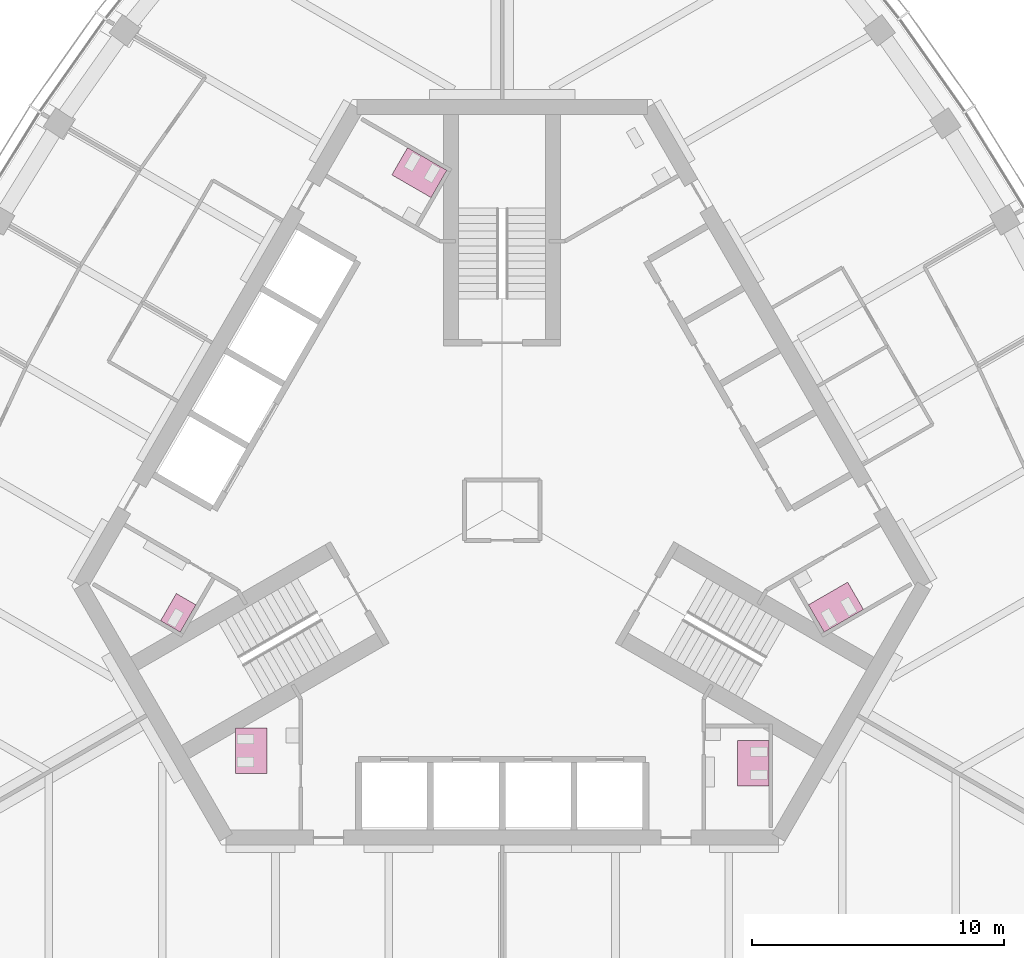
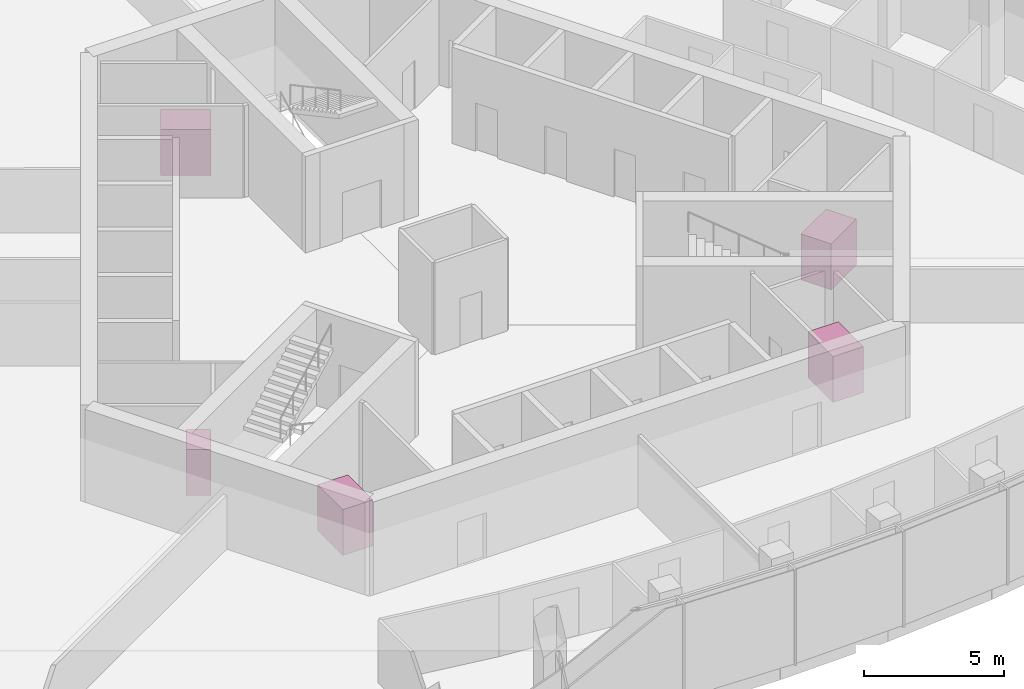
# One storey, part 16 of 16: 5 furniture elements.
"""IFC4 building model written with IfcOpenShell, lengths in metres."""

from ifc_helpers import new_model, si_unit, direction, frame, origin, place, context, subcontext, project, spatial, polyline, outline, extrude, material, type_object, element, save


model = new_model("IFC4")

# Units and contexts
model_context = context("Model", 3, precision=1e-05, world=origin(), true_north=direction((0.0, 1.0)))
body_context = subcontext(model_context, "Body", "Model", "MODEL_VIEW")
ifc_project = project(units=[si_unit("LENGTHUNIT", "METRE"), si_unit("AREAUNIT", "SQUARE_METRE"), si_unit("VOLUMEUNIT", "CUBIC_METRE"), si_unit("PLANEANGLEUNIT", "RADIAN"), si_unit("MASSUNIT", "GRAM", prefix="KILO")], contexts=[model_context])

# Site, building, storey
site_placement = place(None, origin())
site = spatial("IfcSite", under=ifc_project, at=site_placement, CompositionType="ELEMENT")
building_placement = place(site_placement, origin())
building = spatial("IfcBuilding", under=site, at=building_placement, Name="Trefoil Bronze Tower", CompositionType="ELEMENT")
storey_placement = place(building_placement, frame((0.0, 0.0, 305.699951171875)))
storey = spatial("IfcBuildingStorey", under=building, at=storey_placement, Name="L70", CompositionType="ELEMENT", Elevation=305.699951171875)

# Furniture
ifc_material_1 = material(Name="Compact laminate cubicles", Category="plastic")
furniture_type_1 = type_object("IfcFurnitureType", Name="WC cubicle range 1 cubicles", AssemblyPlace="FACTORY", PredefinedType="USERDEFINED", material=ifc_material_1)
furniture_1_placement = place(storey_placement, origin())
element("IfcFurniture", 1, at=furniture_1_placement, inside=storey, type_object=furniture_type_1, Name="WC cubicle range WC (men) L70", ObjectType="WC cubicle range", PredefinedType="USERDEFINED", context=body_context, shape_type="SweptSolid", body=[
    extrude(outline(polyline([(-12.15869140625, -3.75927734375), (-12.78369140625, -4.841796875), (-13.56298828125, -4.391845703125), (-12.93798828125, -3.309326171875), (-12.15869140625, -3.75927734375)])), origin(), (0.0, 0.0, 1.0), 2.0),
])
ifc_material_2 = material(Name="Compact laminate cubicles", Category="plastic")
furniture_type_2 = type_object("IfcFurnitureType", Name="WC cubicle range 2 cubicles", AssemblyPlace="FACTORY", PredefinedType="USERDEFINED", material=ifc_material_2)
furniture_2_placement = place(storey_placement, origin())
element("IfcFurniture", 2, at=furniture_2_placement, inside=storey, type_object=furniture_type_2, Name="WC cubicle range WC (men) L70", ObjectType="WC cubicle range", PredefinedType="USERDEFINED", context=body_context, shape_type="SweptSolid", body=[
    extrude(outline(polyline([(9.3349609375, -9.14990234375), (10.5849609375, -9.14990234375), (10.5849609375, -10.949951171875), (9.3349609375, -10.949951171875), (9.3349609375, -9.14990234375)])), origin(), (0.0, 0.0, 1.0), 2.0),
])
furniture_3_placement = place(storey_placement, origin())
element("IfcFurniture", 3, at=furniture_3_placement, inside=storey, type_object=furniture_type_2, Name="WC cubicle range WC (women) L70", ObjectType="WC cubicle range", PredefinedType="USERDEFINED", context=body_context, shape_type="SweptSolid", body=[
    extrude(outline(polyline([(12.15869140625, -3.75927734375), (12.78369140625, -4.841796875), (14.342529296875, -3.94189453125), (13.717529296875, -2.859375), (12.15869140625, -3.75927734375)])), origin(), (0.0, 0.0, 1.0), 2.0),
])
furniture_4_placement = place(storey_placement, origin())
element("IfcFurniture", 4, at=furniture_4_placement, inside=storey, type_object=furniture_type_2, Name="WC cubicle range WC (women) L70", ObjectType="WC cubicle range", PredefinedType="USERDEFINED", context=body_context, shape_type="SweptSolid", body=[
    extrude(outline(polyline([(-2.82373046875, 12.409423828125), (-2.19873046875, 13.491943359375), (-3.757568359375, 14.391845703125), (-4.382568359375, 13.309326171875), (-2.82373046875, 12.409423828125)])), origin(), (0.0, 0.0, 1.0), 2.0),
])
furniture_5_placement = place(storey_placement, origin())
element("IfcFurniture", 5, at=furniture_5_placement, inside=storey, type_object=furniture_type_2, Name="WC cubicle range WC (women) L70", ObjectType="WC cubicle range", PredefinedType="USERDEFINED", context=body_context, shape_type="SweptSolid", body=[
    extrude(outline(polyline([(-9.3349609375, -8.64990234375), (-10.5849609375, -8.64990234375), (-10.5849609375, -10.449951171875), (-9.3349609375, -10.449951171875), (-9.3349609375, -8.64990234375)])), origin(), (0.0, 0.0, 1.0), 2.0),
])

save(model, "model.ifc")
